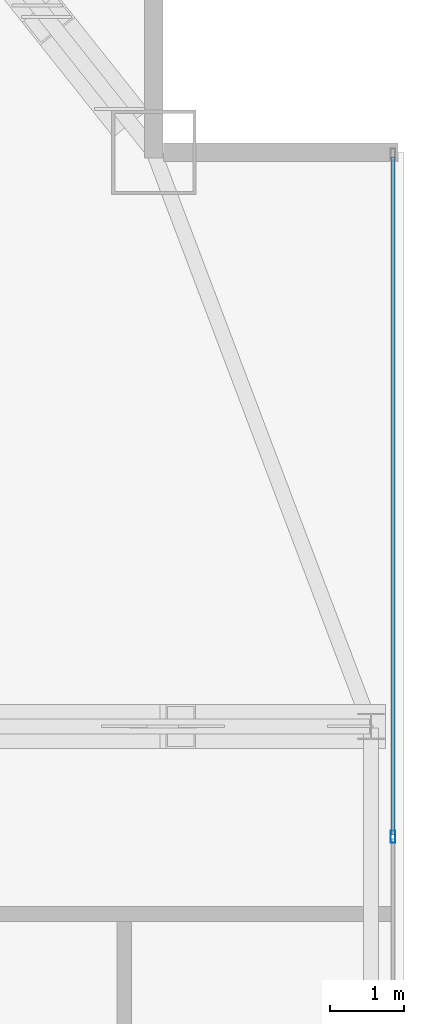
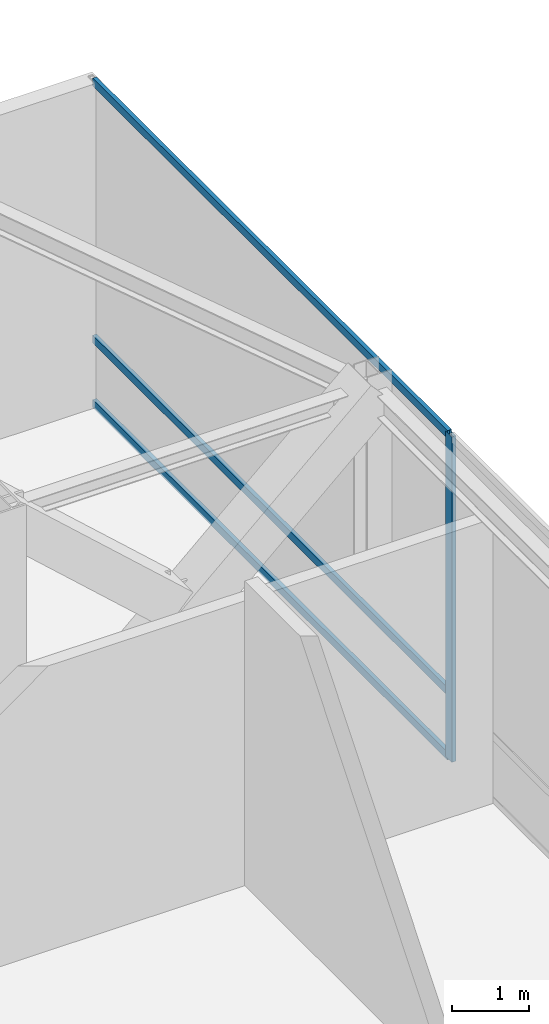
# One storey, part 12 of 21: 4 members, 1 element without a shape of its own.
"""IFC4 building model written with IfcOpenShell, lengths in metres."""

from ifc_helpers import new_model, si_unit, direction, frame, origin, origin_2d, place, context, subcontext, project, spatial, hollow_rectangle, extrude, source, transform, mapped, material, layer, layer_set, material_profile, profile_set, type_object, type_shapes, element, aggregate, save


model = new_model("IFC4")

# Units and contexts
model_context = context("Model", 3, precision=1e-05, world=origin(), true_north=direction((0.0, 1.0)))
body_context = subcontext(model_context, "Body", "Model", "MODEL_VIEW")
ifc_project = project(units=[si_unit("LENGTHUNIT", "METRE"), si_unit("AREAUNIT", "SQUARE_METRE"), si_unit("VOLUMEUNIT", "CUBIC_METRE"), si_unit("PLANEANGLEUNIT", "RADIAN"), si_unit("MASSUNIT", "GRAM", prefix="KILO")], contexts=[model_context])

# Site, building, storey
site_placement = place(None, origin())
site = spatial("IfcSite", under=ifc_project, at=site_placement, CompositionType="ELEMENT")
building_placement = place(site_placement, origin())
building = spatial("IfcBuilding", under=site, at=building_placement, Name="Varnel Quay Broadcast Tower", CompositionType="ELEMENT")
storey_placement = place(building_placement, frame((0.0, 0.0, 234.0)))
storey = spatial("IfcBuildingStorey", under=building, at=storey_placement, Name="L58", CompositionType="ELEMENT", Elevation=234.0)

# Curtain wall, members
ifc_material = material(Name="Anodised Bronze Aluminium 6063-T6", Category="aluminium")
ifc_layer = layer(ifc_material, 0.18994140625, Name="Anodised Bronze Aluminium 6063-T6")
ifc_layer_set = layer_set([ifc_layer], Name="Anodised Bronze Aluminium 6063-T6")
curtain_wall_type = type_object("IfcCurtainWallType", Name="CW_UpperTower", PredefinedType="NOTDEFINED", material=ifc_layer_set)
curtain_wall_placement = place(storey_placement, origin())
curtain_wall = element("IfcCurtainWall", 1, at=curtain_wall_placement, inside=storey, type_object=curtain_wall_type, Name="L58 East Plant Curtain Wall", PredefinedType="NOTDEFINED")
ifc_material_profile_1 = material_profile(ifc_material, hollow_rectangle(XDim=0.06494140625, YDim=0.1650390625, WallThickness=0.00341796875, at=origin_2d()), Name="ALU65X165X3.5")
ifc_profile_set_1 = profile_set([ifc_material_profile_1], Name="Anodised Bronze Aluminium 6063-T6")
member_type_1 = type_object("IfcMemberType", Name="Mull_CWS-03", PredefinedType="MULLION", material=ifc_profile_set_1)
shared_shape_1 = source(origin(), body_context, "Body", "SweptSolid", [
    extrude(hollow_rectangle(XDim=0.06494140625, YDim=0.1650390625, WallThickness=0.00341796875, at=origin_2d()), origin(), (0.0, 0.0, 1.0), 5.14990234375),
])
type_shapes(member_type_1, [shared_shape_1])
member_1_placement = place(storey_placement, frame((58.35009765625, 34.10009765625, 0.0), z_axis=(0.0, 0.0, 1.0), x_axis=(-1.0, 0.0, 0.0)))
member_1 = element("IfcMember", 2, at=member_1_placement, type_object=member_type_1, Name="CWS-03 mullion 2", PredefinedType="MULLION", context=body_context, shape_type="MappedRepresentation", body=[
    mapped(shared_shape_1, transform((0.0, 0.0, 0.0), x_axis=(1.0, 0.0, 0.0), y_axis=(0.0, 1.0, 0.0), z_axis=(0.0, 0.0, 1.0), scale=1.0)),
])
ifc_material_profile_2 = material_profile(ifc_material, hollow_rectangle(XDim=0.06005859375, YDim=0.125, WallThickness=0.0029296875, at=origin_2d()), Name="ALU60X125X3")
ifc_profile_set_2 = profile_set([ifc_material_profile_2], Name="Anodised Bronze Aluminium 6063-T6")
member_type_2 = type_object("IfcMemberType", Name="Tran_CWS-03", PredefinedType="USERDEFINED", material=ifc_profile_set_2)
shared_shape_2 = source(origin(), body_context, "Body", "SweptSolid", [
    extrude(hollow_rectangle(XDim=0.06005859375, YDim=0.125, WallThickness=0.0029296875, at=origin_2d()), origin(), (0.0, 0.0, 1.0), 9.202392578125),
])
type_shapes(member_type_2, [shared_shape_2])
member_2_placement = place(storey_placement, frame((58.35009765625, 34.132568359375, 0.030029296875), z_axis=(0.0, 1.0, 0.0), x_axis=(-1.0, 0.0, 0.0)))
member_2 = element("IfcMember", 3, at=member_2_placement, type_object=member_type_2, Name="CWS-03 transom 2.1", ObjectType="TRANSOM", PredefinedType="USERDEFINED", context=body_context, shape_type="MappedRepresentation", body=[
    mapped(shared_shape_2, transform((0.0, 0.0, 0.0), x_axis=(1.0, 0.0, 0.0), y_axis=(0.0, 1.0, 0.0), z_axis=(0.0, 0.0, 1.0), scale=1.0)),
])
member_3_placement = place(storey_placement, frame((58.35009765625, 34.132568359375, 1.050048828125), z_axis=(0.0, 1.0, 0.0), x_axis=(-1.0, 0.0, 0.0)))
member_3 = element("IfcMember", 4, at=member_3_placement, type_object=member_type_2, Name="CWS-03 transom 2.2", ObjectType="TRANSOM", PredefinedType="USERDEFINED", context=body_context, shape_type="MappedRepresentation", body=[
    mapped(shared_shape_2, transform((0.0, 0.0, 0.0), x_axis=(1.0, 0.0, 0.0), y_axis=(0.0, 1.0, 0.0), z_axis=(0.0, 0.0, 1.0), scale=1.0)),
])
member_4_placement = place(storey_placement, frame((58.35009765625, 34.132568359375, 5.1201171875), z_axis=(0.0, 1.0, 0.0), x_axis=(-1.0, 0.0, 0.0)))
member_4 = element("IfcMember", 5, at=member_4_placement, type_object=member_type_2, Name="CWS-03 transom 2.3", ObjectType="TRANSOM", PredefinedType="USERDEFINED", context=body_context, shape_type="MappedRepresentation", body=[
    mapped(shared_shape_2, transform((0.0, 0.0, 0.0), x_axis=(1.0, 0.0, 0.0), y_axis=(0.0, 1.0, 0.0), z_axis=(0.0, 0.0, 1.0), scale=1.0)),
])
aggregate(curtain_wall, [member_1, member_2, member_3, member_4])

save(model, "model.ifc")
